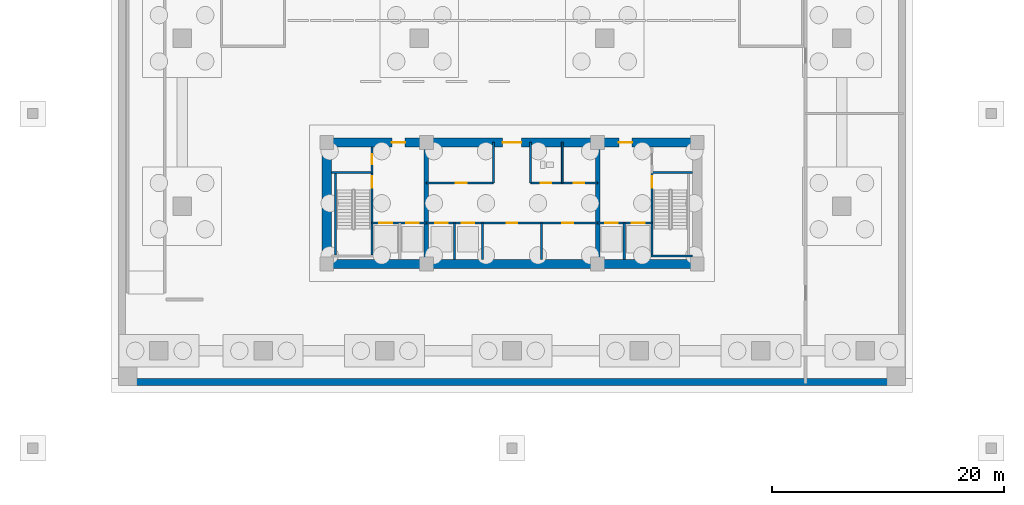
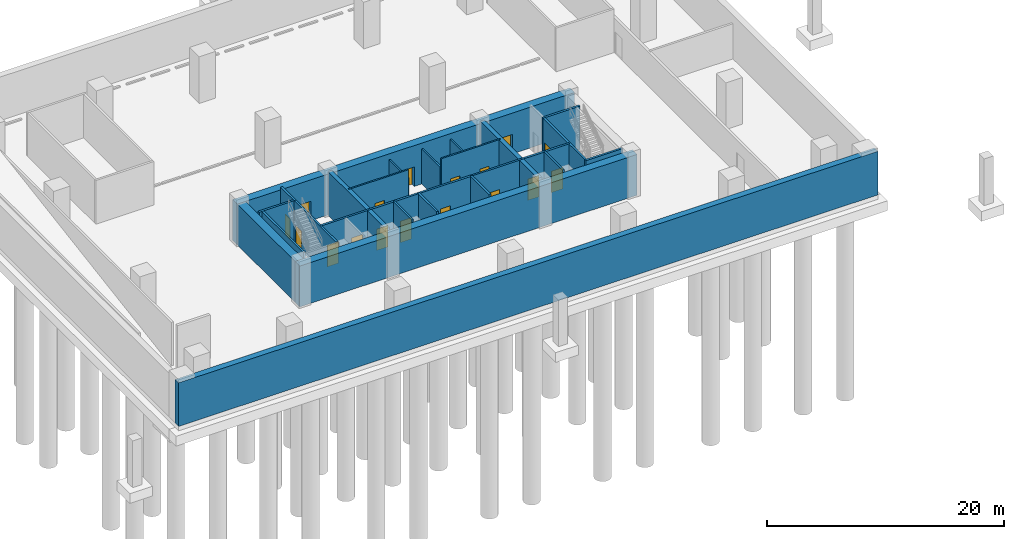
# One storey, part 3 of 8: 27 walls, 17 doors, 17 openings.
"""IFC4 building model written with IfcOpenShell, lengths in metres."""

from ifc_helpers import new_model, si_unit, direction, frame, frame_2d, origin, place, context, subcontext, project, spatial, rectangle, extrude, material, layer, layer_set, type_object, element, fill, save


model = new_model("IFC4")

# Units and contexts
model_context = context("Model", 3, precision=1e-05, world=origin(), true_north=direction((0.0, 1.0)))
body_context = subcontext(model_context, "Body", "Model", "MODEL_VIEW")
ifc_project = project(units=[si_unit("LENGTHUNIT", "METRE"), si_unit("AREAUNIT", "SQUARE_METRE"), si_unit("VOLUMEUNIT", "CUBIC_METRE"), si_unit("PLANEANGLEUNIT", "RADIAN"), si_unit("MASSUNIT", "GRAM", prefix="KILO")], contexts=[model_context])

# Site, building, storey
site_placement = place(None, origin())
site = spatial("IfcSite", under=ifc_project, at=site_placement, CompositionType="ELEMENT")
building_placement = place(site_placement, origin())
building = spatial("IfcBuilding", under=site, at=building_placement, Name="Solmavex Isthmus Hotel", CompositionType="ELEMENT")
storey_placement = place(building_placement, frame((0.0, 0.0, -10.0)))
storey = spatial("IfcBuildingStorey", under=building, at=storey_placement, Name="B02", CompositionType="ELEMENT", Elevation=-10.0)

# Wall, opening, door
ifc_material_1 = material(Name="Gypsum plasterboard lining", Category="gypsum")
ifc_layer_1 = layer(ifc_material_1, 0.14990234375)
ifc_layer_set_1 = layer_set([ifc_layer_1], Name="Gypsum plasterboard lining")
wall_type_1 = type_object("IfcWallType", Name="IW-CORR-150", PredefinedType="PARTITIONING", material=ifc_layer_set_1)
wall_1_placement = place(storey_placement, frame((-7.39990234375, -6.0, 0.0), z_axis=(0.0, 0.0, 1.0), x_axis=(1.0, 0.0, 0.0)))
wall_1 = element("IfcWall", 1, at=wall_1_placement, inside=storey, type_object=wall_type_1, Name="Interior Partition Wall W-B02-BOH-WS", PredefinedType="PARTITIONING", context=body_context, shape_type="SweptSolid", body=[
    extrude(rectangle(XDim=5.7998046875, YDim=0.14990234375, at=frame_2d((2.89990234375, 0.0))), origin(), (0.0, 0.0, 1.0), 4.47998046875),
])
opening_1_placement = place(wall_1_placement, frame((2.52490234375, 0.0, 0.0)))
opening_1 = element("IfcOpeningElement", 2, at=opening_1_placement, cuts=wall_1, Name="Opening ID-C095", PredefinedType="OPENING", context=body_context, shape_type="SweptSolid", body=[
    extrude(rectangle(XDim=0.949951171875, YDim=2.14990234375, at=frame_2d((0.47509765625, 1.074951171875))), frame((0.0, 0.0849609375, 0.0), z_axis=(0.0, -1.0, 0.0), x_axis=(1.0, 0.0, 0.0)), (0.0, 0.0, 1.0), 0.169921875),
])
ifc_material_2 = material(Name="Hardwood timber", Category="wood")
door_type_1 = type_object("IfcDoorType", Name="IDR-FD60-0950", OperationType="NOTDEFINED", PredefinedType="DOOR", material=ifc_material_2)
door_1_placement = place(opening_1_placement, frame((0.949951171875, 0.0, 0.0), z_axis=(0.0, 0.0, 1.0), x_axis=(-1.0, 0.0, 0.0)))
door_1 = element("IfcDoor", 3, at=door_1_placement, inside=storey, type_object=door_type_1, Name="Housekeeping Room Door B02", OperationType="SINGLE_SWING_LEFT", OverallHeight=2.14990234375, OverallWidth=0.949951171875, PredefinedType="DOOR", context=body_context, shape_type="SweptSolid", body=[
    extrude(rectangle(XDim=0.949951171875, YDim=2.14990234375, at=frame_2d((0.47509765625, 1.074951171875))), frame((0.0, 0.02490234375, 0.0), z_axis=(0.0, -1.0, 0.0), x_axis=(1.0, 0.0, 0.0)), (0.0, 0.0, 1.0), 0.050048828125),
])
fill(opening_1, door_1)

# Wall
wall_2_placement = place(storey_placement, frame((-1.60009765625, -6.0, 0.0), z_axis=(0.0, 0.0, 1.0), x_axis=(0.0, 1.0, 0.0)))
element("IfcWall", 4, at=wall_2_placement, inside=storey, type_object=wall_type_1, Name="Interior Partition Wall W-B02-BOH-WE", PredefinedType="PARTITIONING", context=body_context, shape_type="SweptSolid", body=[
    extrude(rectangle(XDim=3.5, YDim=0.14990234375, at=frame_2d((1.75, 0.0))), origin(), (0.0, 0.0, 1.0), 3.609619140625),
])

# Wall, openings, doors
wall_3_placement = place(storey_placement, frame((1.60009765625, -6.0, 0.0), z_axis=(0.0, 0.0, 1.0), x_axis=(1.0, 0.0, 0.0)))
wall_3 = element("IfcWall", 5, at=wall_3_placement, inside=storey, type_object=wall_type_1, Name="Interior Partition Wall W-B02-BOH-ES", PredefinedType="PARTITIONING", context=body_context, shape_type="SweptSolid", body=[
    extrude(rectangle(XDim=5.7998046875, YDim=0.14990234375, at=frame_2d((2.89990234375, 0.0))), origin(), (0.0, 0.0, 1.0), 4.47998046875),
])
opening_2_placement = place(wall_3_placement, frame((0.89990234375, 0.0, 0.0)))
opening_2 = element("IfcOpeningElement", 6, at=opening_2_placement, cuts=wall_3, Name="Opening ID-C090", PredefinedType="OPENING", context=body_context, shape_type="SweptSolid", body=[
    extrude(rectangle(XDim=0.89990234375, YDim=2.10009765625, at=frame_2d((0.449951171875, 1.050048828125))), frame((0.0, 0.0849609375, 0.0), z_axis=(0.0, -1.0, 0.0), x_axis=(1.0, 0.0, 0.0)), (0.0, 0.0, 1.0), 0.169921875),
])
opening_3_placement = place(wall_3_placement, frame((3.75, 0.0, 0.0)))
opening_3 = element("IfcOpeningElement", 7, at=opening_3_placement, cuts=wall_3, Name="Opening ID-C090", PredefinedType="OPENING", context=body_context, shape_type="SweptSolid", body=[
    extrude(rectangle(XDim=0.89990234375, YDim=2.10009765625, at=frame_2d((0.449951171875, 1.050048828125))), frame((0.0, 0.0849609375, 0.0), z_axis=(0.0, -1.0, 0.0), x_axis=(1.0, 0.0, 0.0)), (0.0, 0.0, 1.0), 0.169921875),
])
door_type_2 = type_object("IfcDoorType", Name="IDR-FD60-0900", OperationType="NOTDEFINED", PredefinedType="DOOR", material=ifc_material_2)
door_2_placement = place(opening_2_placement, frame((0.89990234375, 0.0, 0.0), z_axis=(0.0, 0.0, 1.0), x_axis=(-1.0, 0.0, 0.0)))
door_2 = element("IfcDoor", 8, at=door_2_placement, inside=storey, type_object=door_type_2, Name="Staff WC Door B02", OperationType="SINGLE_SWING_RIGHT", OverallHeight=2.10009765625, OverallWidth=0.89990234375, PredefinedType="DOOR", context=body_context, shape_type="SweptSolid", body=[
    extrude(rectangle(XDim=0.89990234375, YDim=2.10009765625, at=frame_2d((0.449951171875, 1.050048828125))), frame((0.0, 0.02490234375, 0.0), z_axis=(0.0, -1.0, 0.0), x_axis=(1.0, 0.0, 0.0)), (0.0, 0.0, 1.0), 0.050048828125),
])
fill(opening_2, door_2)
door_3_placement = place(opening_3_placement, frame((0.89990234375, 0.0, 0.0), z_axis=(0.0, 0.0, 1.0), x_axis=(-1.0, 0.0, 0.0)))
door_3 = element("IfcDoor", 9, at=door_3_placement, inside=storey, type_object=door_type_2, Name="Pantry Door B02", OperationType="SINGLE_SWING_LEFT", OverallHeight=2.10009765625, OverallWidth=0.89990234375, PredefinedType="DOOR", context=body_context, shape_type="SweptSolid", body=[
    extrude(rectangle(XDim=0.89990234375, YDim=2.10009765625, at=frame_2d((0.449951171875, 1.050048828125))), frame((0.0, 0.02490234375, 0.0), z_axis=(0.0, -1.0, 0.0), x_axis=(1.0, 0.0, 0.0)), (0.0, 0.0, 1.0), 0.050048828125),
])
fill(opening_3, door_3)

# Walls
wall_4_placement = place(storey_placement, frame((1.60009765625, -6.0, 0.0), z_axis=(0.0, 0.0, 1.0), x_axis=(0.0, 1.0, 0.0)))
element("IfcWall", 10, at=wall_4_placement, inside=storey, type_object=wall_type_1, Name="Interior Partition Wall W-B02-BOH-EW", PredefinedType="PARTITIONING", context=body_context, shape_type="SweptSolid", body=[
    extrude(rectangle(XDim=3.5, YDim=0.14990234375, at=frame_2d((1.75, 0.0))), origin(), (0.0, 0.0, 1.0), 3.609619140625),
])
ifc_layer_2 = layer(ifc_material_1, 0.1201171875)
ifc_layer_set_2 = layer_set([ifc_layer_2], Name="Gypsum plasterboard lining")
wall_type_2 = type_object("IfcWallType", Name="IW-PART-120", PredefinedType="PARTITIONING", material=ifc_layer_set_2)
wall_5_placement = place(storey_placement, frame((4.35009765625, -6.0, 0.0), z_axis=(0.0, 0.0, 1.0), x_axis=(0.0, 1.0, 0.0)))
element("IfcWall", 11, at=wall_5_placement, inside=storey, type_object=wall_type_2, Name="Interior Partition Wall W-B02-BOH-EM0", PredefinedType="PARTITIONING", context=body_context, shape_type="SweptSolid", body=[
    extrude(rectangle(XDim=3.5, YDim=0.14990234375, at=frame_2d((1.75, 0.0))), origin(), (0.0, 0.0, 1.0), 3.609619140625),
])
ifc_material_3 = material(Name="Concrete C40/50", Category="concrete")
ifc_layer_3 = layer(ifc_material_3, 0.179931640625)
ifc_layer_set_3 = layer_set([ifc_layer_3], Name="Concrete C40/50")
wall_type_3 = type_object("IfcWallType", Name="IW-SHAFT-180", PredefinedType="PARTITIONING", material=ifc_layer_set_3)
wall_6_placement = place(storey_placement, frame((-4.949951171875, -12.60009765625, 0.0), z_axis=(0.0, 0.0, 1.0), x_axis=(0.0, 1.0, 0.0)))
element("IfcWall", 12, at=wall_6_placement, inside=storey, type_object=wall_type_3, Name="Interior Partition Wall W-B02-SH-PLL-M", PredefinedType="PARTITIONING", context=body_context, shape_type="SweptSolid", body=[
    extrude(rectangle(XDim=3.150146484375, YDim=0.179931640625, at=frame_2d((1.5751953125, 0.0))), origin(), (0.0, 0.0, 1.0), 4.47998046875),
])

# Wall, opening, door
wall_7_placement = place(storey_placement, frame((2.550048828125, -9.449951171875, 0.0), z_axis=(0.0, 0.0, 1.0), x_axis=(1.0, 0.0, 0.0)))
wall_7 = element("IfcWall", 13, at=wall_7_placement, inside=storey, type_object=wall_type_3, Name="Interior Partition Wall W-B02-TOP-PLH", PredefinedType="PARTITIONING", context=body_context, shape_type="SweptSolid", body=[
    extrude(rectangle(XDim=4.849853515625, YDim=0.179931640625, at=frame_2d((2.4248046875, 0.0))), origin(), (0.0, 0.0, 1.0), 4.47998046875),
])
opening_4_placement = place(wall_7_placement, frame((1.77490234375, 0.0, 0.0)))
opening_4 = element("IfcOpeningElement", 14, at=opening_4_placement, cuts=wall_7, Name="Opening ID-C095", PredefinedType="OPENING", context=body_context, shape_type="SweptSolid", body=[
    extrude(rectangle(XDim=0.949951171875, YDim=2.14990234375, at=frame_2d((0.47509765625, 1.074951171875))), frame((0.0, 0.099853515625, 0.0), z_axis=(0.0, -1.0, 0.0), x_axis=(1.0, 0.0, 0.0)), (0.0, 0.0, 1.0), 0.199951171875),
])
door_4_placement = place(opening_4_placement, origin())
door_4 = element("IfcDoor", 15, at=door_4_placement, inside=storey, type_object=door_type_1, Name="Control Room Door B02", OperationType="SINGLE_SWING_LEFT", OverallHeight=2.14990234375, OverallWidth=0.949951171875, PredefinedType="DOOR", context=body_context, shape_type="SweptSolid", body=[
    extrude(rectangle(XDim=0.949951171875, YDim=2.14990234375, at=frame_2d((0.47509765625, 1.074951171875))), frame((0.0, 0.02490234375, 0.0), z_axis=(0.0, -1.0, 0.0), x_axis=(1.0, 0.0, 0.0)), (0.0, 0.0, 1.0), 0.050048828125),
])
fill(opening_4, door_4)

ifc_layer_4 = layer(ifc_material_3, 0.199951171875)
ifc_layer_set_4 = layer_set([ifc_layer_4], Name="Concrete C40/50")
wall_type_4 = type_object("IfcWallType", Name="IW-SHAFT-200", PredefinedType="PARTITIONING", material=ifc_layer_set_4)
wall_8_placement = place(storey_placement, frame((-12.10009765625, -5.199951171875, 0.0), z_axis=(0.0, 0.0, 1.0), x_axis=(0.0, 1.0, 0.0)))
wall_8 = element("IfcWall", 16, at=wall_8_placement, inside=storey, type_object=wall_type_4, Name="Interior Partition Wall W-B02-RSW-E", PredefinedType="PARTITIONING", context=body_context, shape_type="SweptSolid", body=[
    extrude(rectangle(XDim=2.300048828125, YDim=0.199951171875, at=frame_2d((1.14990234375, 0.0))), origin(), (0.0, 0.0, 1.0), 4.47998046875),
])
opening_5_placement = place(wall_8_placement, frame((0.824951171875, 0.0, 0.0)))
opening_5 = element("IfcOpeningElement", 17, at=opening_5_placement, cuts=wall_8, Name="Opening ID-R085", PredefinedType="OPENING", context=body_context, shape_type="SweptSolid", body=[
    extrude(rectangle(XDim=0.85009765625, YDim=2.050048828125, at=frame_2d((0.425048828125, 1.02490234375))), frame((0.0, 0.10986328125, 0.0), z_axis=(0.0, -1.0, 0.0), x_axis=(1.0, 0.0, 0.0)), (0.0, 0.0, 1.0), 0.219970703125),
])
ifc_material_4 = material(Name="Steel ASTM A500 Grade C", Category="steel")
door_type_3 = type_object("IfcDoorType", Name="IDR-FD60-0850", OperationType="NOTDEFINED", PredefinedType="DOOR", material=ifc_material_4)
door_5_placement = place(opening_5_placement, origin())
door_5 = element("IfcDoor", 18, at=door_5_placement, inside=storey, type_object=door_type_3, Name="Electrical Riser Door B02", OperationType="SINGLE_SWING_RIGHT", OverallHeight=2.050048828125, OverallWidth=0.85009765625, PredefinedType="DOOR", context=body_context, shape_type="SweptSolid", body=[
    extrude(rectangle(XDim=0.85009765625, YDim=2.050048828125, at=frame_2d((0.425048828125, 1.02490234375))), frame((0.0, 0.02490234375, 0.0), z_axis=(0.0, -1.0, 0.0), x_axis=(1.0, 0.0, 0.0)), (0.0, 0.0, 1.0), 0.050048828125),
])
fill(opening_5, door_5)

# Wall, openings, doors
wall_9_placement = place(storey_placement, frame((-12.10009765625, -9.449951171875, 0.0), z_axis=(0.0, 0.0, 1.0), x_axis=(1.0, 0.0, 0.0)))
wall_9 = element("IfcWall", 19, at=wall_9_placement, inside=storey, type_object=wall_type_4, Name="Interior Partition Wall W-B02-FFLW-S", PredefinedType="PARTITIONING", context=body_context, shape_type="SweptSolid", body=[
    extrude(rectangle(XDim=4.7001953125, YDim=0.199951171875, at=frame_2d((2.35009765625, 0.0))), origin(), (0.0, 0.0, 1.0), 4.47998046875),
])
opening_6_placement = place(wall_9_placement, frame((0.64990234375, 0.0, 0.0)))
opening_6 = element("IfcOpeningElement", 20, at=opening_6_placement, cuts=wall_9, Name="Opening LD-FF", PredefinedType="OPENING", context=body_context, shape_type="SweptSolid", body=[
    extrude(rectangle(XDim=1.10009765625, YDim=2.199951171875, at=frame_2d((0.550048828125, 1.10009765625))), frame((0.0, 0.10986328125, 0.0), z_axis=(0.0, -1.0, 0.0), x_axis=(1.0, 0.0, 0.0)), (0.0, 0.0, 1.0), 0.219970703125),
])
opening_7_placement = place(wall_9_placement, frame((2.949951171875, 0.0, 0.0)))
opening_7 = element("IfcOpeningElement", 21, at=opening_7_placement, cuts=wall_9, Name="Opening LD-SV", PredefinedType="OPENING", context=body_context, shape_type="SweptSolid", body=[
    extrude(rectangle(XDim=1.10009765625, YDim=2.199951171875, at=frame_2d((0.550048828125, 1.10009765625))), frame((0.0, 0.10986328125, 0.0), z_axis=(0.0, -1.0, 0.0), x_axis=(1.0, 0.0, 0.0)), (0.0, 0.0, 1.0), 0.219970703125),
])
ifc_material_5 = material(Name="Stainless steel 316", Category="steel")
door_type_4 = type_object("IfcDoorType", Name="LDR-FF-1100", OperationType="NOTDEFINED", PredefinedType="DOOR", material=ifc_material_5)
door_6_placement = place(opening_6_placement, origin())
door_6 = element("IfcDoor", 22, at=door_6_placement, inside=storey, type_object=door_type_4, Name="Lift Landing Door FFL-1 B02", OperationType="SLIDING_TO_LEFT", OverallHeight=2.199951171875, OverallWidth=1.10009765625, PredefinedType="DOOR", context=body_context, shape_type="SweptSolid", body=[
    extrude(rectangle(XDim=1.10009765625, YDim=2.199951171875, at=frame_2d((0.550048828125, 1.10009765625))), frame((0.0, 0.02490234375, 0.0), z_axis=(0.0, -1.0, 0.0), x_axis=(1.0, 0.0, 0.0)), (0.0, 0.0, 1.0), 0.050048828125),
])
fill(opening_6, door_6)
door_type_5 = type_object("IfcDoorType", Name="LDR-SV-1100", OperationType="NOTDEFINED", PredefinedType="DOOR", material=ifc_material_5)
door_7_placement = place(opening_7_placement, origin())
door_7 = element("IfcDoor", 23, at=door_7_placement, inside=storey, type_object=door_type_5, Name="Lift Landing Door SVL-1 B02", OperationType="SLIDING_TO_RIGHT", OverallHeight=2.199951171875, OverallWidth=1.10009765625, PredefinedType="DOOR", context=body_context, shape_type="SweptSolid", body=[
    extrude(rectangle(XDim=1.10009765625, YDim=2.199951171875, at=frame_2d((0.550048828125, 1.10009765625))), frame((0.0, 0.02490234375, 0.0), z_axis=(0.0, -1.0, 0.0), x_axis=(1.0, 0.0, 0.0)), (0.0, 0.0, 1.0), 0.050048828125),
])
fill(opening_7, door_7)

wall_10_placement = place(storey_placement, frame((7.39990234375, -9.449951171875, 0.0), z_axis=(0.0, 0.0, 1.0), x_axis=(1.0, 0.0, 0.0)))
wall_10 = element("IfcWall", 24, at=wall_10_placement, inside=storey, type_object=wall_type_4, Name="Interior Partition Wall W-B02-FFLE-S", PredefinedType="PARTITIONING", context=body_context, shape_type="SweptSolid", body=[
    extrude(rectangle(XDim=4.7001953125, YDim=0.199951171875, at=frame_2d((2.35009765625, 0.0))), origin(), (0.0, 0.0, 1.0), 4.47998046875),
])
opening_8_placement = place(wall_10_placement, frame((2.949951171875, 0.0, 0.0)))
opening_8 = element("IfcOpeningElement", 25, at=opening_8_placement, cuts=wall_10, Name="Opening LD-FF", PredefinedType="OPENING", context=body_context, shape_type="SweptSolid", body=[
    extrude(rectangle(XDim=1.10009765625, YDim=2.199951171875, at=frame_2d((0.550048828125, 1.10009765625))), frame((0.0, 0.10986328125, 0.0), z_axis=(0.0, -1.0, 0.0), x_axis=(1.0, 0.0, 0.0)), (0.0, 0.0, 1.0), 0.219970703125),
])
opening_9_placement = place(wall_10_placement, frame((0.64990234375, 0.0, 0.0)))
opening_9 = element("IfcOpeningElement", 26, at=opening_9_placement, cuts=wall_10, Name="Opening LD-SV", PredefinedType="OPENING", context=body_context, shape_type="SweptSolid", body=[
    extrude(rectangle(XDim=1.10009765625, YDim=2.199951171875, at=frame_2d((0.550048828125, 1.10009765625))), frame((0.0, 0.10986328125, 0.0), z_axis=(0.0, -1.0, 0.0), x_axis=(1.0, 0.0, 0.0)), (0.0, 0.0, 1.0), 0.219970703125),
])
door_8_placement = place(opening_8_placement, origin())
door_8 = element("IfcDoor", 27, at=door_8_placement, inside=storey, type_object=door_type_4, Name="Lift Landing Door FFL-2 B02", OperationType="SLIDING_TO_LEFT", OverallHeight=2.199951171875, OverallWidth=1.10009765625, PredefinedType="DOOR", context=body_context, shape_type="SweptSolid", body=[
    extrude(rectangle(XDim=1.10009765625, YDim=2.199951171875, at=frame_2d((0.550048828125, 1.10009765625))), frame((0.0, 0.02490234375, 0.0), z_axis=(0.0, -1.0, 0.0), x_axis=(1.0, 0.0, 0.0)), (0.0, 0.0, 1.0), 0.050048828125),
])
fill(opening_8, door_8)
door_9_placement = place(opening_9_placement, origin())
door_9 = element("IfcDoor", 28, at=door_9_placement, inside=storey, type_object=door_type_5, Name="Lift Landing Door SVL-2 B02", OperationType="SLIDING_TO_RIGHT", OverallHeight=2.199951171875, OverallWidth=1.10009765625, PredefinedType="DOOR", context=body_context, shape_type="SweptSolid", body=[
    extrude(rectangle(XDim=1.10009765625, YDim=2.199951171875, at=frame_2d((0.550048828125, 1.10009765625))), frame((0.0, 0.02490234375, 0.0), z_axis=(0.0, -1.0, 0.0), x_axis=(1.0, 0.0, 0.0)), (0.0, 0.0, 1.0), 0.050048828125),
])
fill(opening_9, door_9)

# Wall
wall_11_placement = place(storey_placement, frame((9.699951171875, -12.60009765625, 0.0), z_axis=(0.0, 0.0, 1.0), x_axis=(0.0, 1.0, 0.0)))
element("IfcWall", 29, at=wall_11_placement, inside=storey, type_object=wall_type_4, Name="Interior Partition Wall W-B02-FFLE-M", PredefinedType="PARTITIONING", context=body_context, shape_type="SweptSolid", body=[
    extrude(rectangle(XDim=3.150146484375, YDim=0.199951171875, at=frame_2d((1.5751953125, 0.0))), origin(), (0.0, 0.0, 1.0), 4.47998046875),
])

# Wall, openings, doors
wall_12_placement = place(storey_placement, frame((-7.39990234375, -9.449951171875, 0.0), z_axis=(0.0, 0.0, 1.0), x_axis=(1.0, 0.0, 0.0)))
wall_12 = element("IfcWall", 30, at=wall_12_placement, inside=storey, type_object=wall_type_4, Name="Interior Partition Wall W-B02-SH-PLL", PredefinedType="PARTITIONING", context=body_context, shape_type="SweptSolid", body=[
    extrude(rectangle(XDim=4.849853515625, YDim=0.199951171875, at=frame_2d((2.4248046875, 0.0))), origin(), (0.0, 0.0, 1.0), 4.47998046875),
])
opening_10_placement = place(wall_12_placement, frame((0.75, 0.0, 0.0)))
opening_10 = element("IfcOpeningElement", 31, at=opening_10_placement, cuts=wall_12, Name="Opening LD-PL", PredefinedType="OPENING", context=body_context, shape_type="SweptSolid", body=[
    extrude(rectangle(XDim=1.10009765625, YDim=2.199951171875, at=frame_2d((0.550048828125, 1.10009765625))), frame((0.0, 0.10986328125, 0.0), z_axis=(0.0, -1.0, 0.0), x_axis=(1.0, 0.0, 0.0)), (0.0, 0.0, 1.0), 0.219970703125),
])
opening_11_placement = place(wall_12_placement, frame((3.050048828125, 0.0, 0.0)))
opening_11 = element("IfcOpeningElement", 32, at=opening_11_placement, cuts=wall_12, Name="Opening LD-PL", PredefinedType="OPENING", context=body_context, shape_type="SweptSolid", body=[
    extrude(rectangle(XDim=1.10009765625, YDim=2.199951171875, at=frame_2d((0.550048828125, 1.10009765625))), frame((0.0, 0.10986328125, 0.0), z_axis=(0.0, -1.0, 0.0), x_axis=(1.0, 0.0, 0.0)), (0.0, 0.0, 1.0), 0.219970703125),
])
door_type_6 = type_object("IfcDoorType", Name="LDR-PL-1100", OperationType="NOTDEFINED", PredefinedType="DOOR", material=ifc_material_5)
door_10_placement = place(opening_10_placement, origin())
door_10 = element("IfcDoor", 33, at=door_10_placement, inside=storey, type_object=door_type_6, Name="Lift Landing Door PLL1 B02", OperationType="SLIDING_TO_LEFT", OverallHeight=2.199951171875, OverallWidth=1.10009765625, PredefinedType="DOOR", context=body_context, shape_type="SweptSolid", body=[
    extrude(rectangle(XDim=1.10009765625, YDim=2.199951171875, at=frame_2d((0.550048828125, 1.10009765625))), frame((0.0, 0.02490234375, 0.0), z_axis=(0.0, -1.0, 0.0), x_axis=(1.0, 0.0, 0.0)), (0.0, 0.0, 1.0), 0.050048828125),
])
fill(opening_10, door_10)
door_11_placement = place(opening_11_placement, origin())
door_11 = element("IfcDoor", 34, at=door_11_placement, inside=storey, type_object=door_type_6, Name="Lift Landing Door PLL2 B02", OperationType="SLIDING_TO_LEFT", OverallHeight=2.199951171875, OverallWidth=1.10009765625, PredefinedType="DOOR", context=body_context, shape_type="SweptSolid", body=[
    extrude(rectangle(XDim=1.10009765625, YDim=2.199951171875, at=frame_2d((0.550048828125, 1.10009765625))), frame((0.0, 0.02490234375, 0.0), z_axis=(0.0, -1.0, 0.0), x_axis=(1.0, 0.0, 0.0)), (0.0, 0.0, 1.0), 0.050048828125),
])
fill(opening_11, door_11)

# Wall
wall_13_placement = place(storey_placement, frame((-2.550048828125, -12.60009765625, 0.0), z_axis=(0.0, 0.0, 1.0), x_axis=(0.0, 1.0, 0.0)))
element("IfcWall", 35, at=wall_13_placement, inside=storey, type_object=wall_type_4, Name="Interior Partition Wall W-B02-SH-PLL-E", PredefinedType="PARTITIONING", context=body_context, shape_type="SweptSolid", body=[
    extrude(rectangle(XDim=3.150146484375, YDim=0.199951171875, at=frame_2d((1.5751953125, 0.0))), origin(), (0.0, 0.0, 1.0), 4.47998046875),
])

# Wall, opening, door
wall_14_placement = place(storey_placement, frame((-2.550048828125, -9.449951171875, 0.0), z_axis=(0.0, 0.0, 1.0), x_axis=(1.0, 0.0, 0.0)))
wall_14 = element("IfcWall", 36, at=wall_14_placement, inside=storey, type_object=wall_type_4, Name="Interior Partition Wall W-B02-PIT-PLM", PredefinedType="PARTITIONING", context=body_context, shape_type="SweptSolid", body=[
    extrude(rectangle(XDim=5.10009765625, YDim=0.199951171875, at=frame_2d((2.550048828125, 0.0))), origin(), (0.0, 0.0, 1.0), 4.47998046875),
])
opening_12_placement = place(wall_14_placement, frame((2.074951171875, 0.0, 0.0)))
opening_12 = element("IfcOpeningElement", 37, at=opening_12_placement, cuts=wall_14, Name="Opening ID-C095", PredefinedType="OPENING", context=body_context, shape_type="SweptSolid", body=[
    extrude(rectangle(XDim=0.949951171875, YDim=2.14990234375, at=frame_2d((0.47509765625, 1.074951171875))), frame((0.0, 0.10986328125, 0.0), z_axis=(0.0, -1.0, 0.0), x_axis=(1.0, 0.0, 0.0)), (0.0, 0.0, 1.0), 0.219970703125),
])
door_12_placement = place(opening_12_placement, origin())
door_12 = element("IfcDoor", 38, at=door_12_placement, inside=storey, type_object=door_type_1, Name="Core Store Door B02", OperationType="SINGLE_SWING_LEFT", OverallHeight=2.14990234375, OverallWidth=0.949951171875, PredefinedType="DOOR", context=body_context, shape_type="SweptSolid", body=[
    extrude(rectangle(XDim=0.949951171875, YDim=2.14990234375, at=frame_2d((0.47509765625, 1.074951171875))), frame((0.0, 0.02490234375, 0.0), z_axis=(0.0, -1.0, 0.0), x_axis=(1.0, 0.0, 0.0)), (0.0, 0.0, 1.0), 0.050048828125),
])
fill(opening_12, door_12)

# Walls
wall_15_placement = place(storey_placement, frame((2.550048828125, -12.60009765625, 0.0), z_axis=(0.0, 0.0, 1.0), x_axis=(0.0, 1.0, 0.0)))
element("IfcWall", 39, at=wall_15_placement, inside=storey, type_object=wall_type_4, Name="Interior Partition Wall W-B02-PIT-PLME", PredefinedType="PARTITIONING", context=body_context, shape_type="SweptSolid", body=[
    extrude(rectangle(XDim=3.150146484375, YDim=0.199951171875, at=frame_2d((1.5751953125, 0.0))), origin(), (0.0, 0.0, 1.0), 4.47998046875),
])
ifc_material_6 = material(Name="Concrete C70/85", Category="concrete")
ifc_layer_5 = layer(ifc_material_6, 0.39990234375)
ifc_layer_set_5 = layer_set([ifc_layer_5], Name="Concrete C70/85")
wall_type_5 = type_object("IfcWallType", Name="WALL-CW-400L", PredefinedType="SHEAR", material=ifc_layer_set_5)
for number, where, z_axis, x_axis, name in (
    (40, (-7.39990234375, -12.60009765625, 0.0), (0.0, 0.0, 1.0), (0.0, 1.0, 0.0), "Core Cross Shear Wall C1 B02"),
    (41, (7.39990234375, -12.60009765625, 0.0), (0.0, 0.0, 1.0), (0.0, 1.0, 0.0), "Core Cross Shear Wall C2 B02"),
):
    element("IfcWall", number, at=place(storey_placement, frame(where, z_axis=z_axis, x_axis=x_axis)), inside=storey, type_object=wall_type_5, Name=name, PredefinedType="SHEAR", context=body_context, shape_type="SweptSolid", body=[
        extrude(rectangle(XDim=9.7001953125, YDim=0.39990234375, at=frame_2d((4.85009765625, 0.0))), origin(), (0.0, 0.0, 1.0), 4.47998046875),
    ])
ifc_layer_6 = layer(ifc_material_6, 0.800048828125)
ifc_layer_set_6 = layer_set([ifc_layer_6], Name="Concrete C70/85")
wall_type_6 = type_object("IfcWallType", Name="WALL-CW-800", PredefinedType="SHEAR", material=ifc_layer_set_6)
wall_16_placement = place(storey_placement, frame((-16.39990234375, -13.0, 0.0), z_axis=(0.0, 0.0, 1.0), x_axis=(1.0, 0.0, 0.0)))
element("IfcWall", 42, at=wall_16_placement, inside=storey, type_object=wall_type_6, Name="Core Shear Wall South B02", PredefinedType="SHEAR", context=body_context, shape_type="SweptSolid", body=[
    extrude(rectangle(XDim=32.7998046875, YDim=0.800048828125, at=frame_2d((16.39990234375, 0.0))), origin(), (0.0, 0.0, 1.0), 4.199951171875),
])

# Wall, openings, doors
wall_17_placement = place(storey_placement, frame((-16.39990234375, -2.5, 0.0), z_axis=(0.0, 0.0, 1.0), x_axis=(1.0, 0.0, 0.0)))
wall_17 = element("IfcWall", 43, at=wall_17_placement, inside=storey, type_object=wall_type_6, Name="Core Shear Wall North B02", PredefinedType="SHEAR", context=body_context, shape_type="SweptSolid", body=[
    extrude(rectangle(XDim=32.7998046875, YDim=0.800048828125, at=frame_2d((16.39990234375, 0.0))), origin(), (0.0, 0.0, 1.0), 4.199951171875),
])
opening_13_placement = place(wall_17_placement, frame((6.02490234375, 0.0, 0.0)))
opening_13 = element("IfcOpeningElement", 44, at=opening_13_placement, cuts=wall_17, Name="Opening ID-F915", PredefinedType="OPENING", context=body_context, shape_type="SweptSolid", body=[
    extrude(rectangle(XDim=1.14990234375, YDim=2.0, at=frame_2d((0.574951171875, 1.0))), frame((0.0, 0.409912109375, 0.0), z_axis=(0.0, -1.0, 0.0), x_axis=(1.0, 0.0, 0.0)), (0.0, 0.0, 1.0), 0.820068359375),
])
opening_14_placement = place(wall_17_placement, frame((15.60009765625, 0.0, 0.0)))
opening_14 = element("IfcOpeningElement", 45, at=opening_14_placement, cuts=wall_17, Name="Opening ID-F960", PredefinedType="OPENING", context=body_context, shape_type="SweptSolid", body=[
    extrude(rectangle(XDim=1.60009765625, YDim=2.0, at=frame_2d((0.800048828125, 1.0))), frame((0.0, 0.409912109375, 0.0), z_axis=(0.0, -1.0, 0.0), x_axis=(1.0, 0.0, 0.0)), (0.0, 0.0, 1.0), 0.820068359375),
])
opening_15_placement = place(wall_17_placement, frame((25.625, 0.0, 0.0)))
opening_15 = element("IfcOpeningElement", 46, at=opening_15_placement, cuts=wall_17, Name="Opening ID-F915", PredefinedType="OPENING", context=body_context, shape_type="SweptSolid", body=[
    extrude(rectangle(XDim=1.14990234375, YDim=2.0, at=frame_2d((0.574951171875, 1.0))), frame((0.0, 0.409912109375, 0.0), z_axis=(0.0, -1.0, 0.0), x_axis=(1.0, 0.0, 0.0)), (0.0, 0.0, 1.0), 0.820068359375),
])
door_type_7 = type_object("IfcDoorType", Name="IDR-FD90-1150C", OperationType="NOTDEFINED", PredefinedType="DOOR", material=ifc_material_4)
door_13_placement = place(opening_13_placement, origin())
door_13 = element("IfcDoor", 47, at=door_13_placement, inside=storey, type_object=door_type_7, Name="Firefighting Lobby West Exit Door B02", OperationType="SINGLE_SWING_LEFT", OverallHeight=2.0, OverallWidth=1.14990234375, PredefinedType="DOOR", context=body_context, shape_type="SweptSolid", body=[
    extrude(rectangle(XDim=1.14990234375, YDim=2.0, at=frame_2d((0.574951171875, 1.0))), frame((0.0, 0.02490234375, 0.0), z_axis=(0.0, -1.0, 0.0), x_axis=(1.0, 0.0, 0.0)), (0.0, 0.0, 1.0), 0.050048828125),
])
fill(opening_13, door_13)
door_14_placement = place(opening_15_placement, origin())
door_14 = element("IfcDoor", 48, at=door_14_placement, inside=storey, type_object=door_type_7, Name="Firefighting Lobby East Exit Door B02", OperationType="SINGLE_SWING_RIGHT", OverallHeight=2.0, OverallWidth=1.14990234375, PredefinedType="DOOR", context=body_context, shape_type="SweptSolid", body=[
    extrude(rectangle(XDim=1.14990234375, YDim=2.0, at=frame_2d((0.574951171875, 1.0))), frame((0.0, 0.02490234375, 0.0), z_axis=(0.0, -1.0, 0.0), x_axis=(1.0, 0.0, 0.0)), (0.0, 0.0, 1.0), 0.050048828125),
])
fill(opening_15, door_14)
door_type_8 = type_object("IfcDoorType", Name="IDR-FD90-1600C", OperationType="NOTDEFINED", PredefinedType="DOOR", material=ifc_material_4)
door_15_placement = place(opening_14_placement, origin())
door_15 = element("IfcDoor", 49, at=door_15_placement, inside=storey, type_object=door_type_8, Name="Central Lift Lobby Door B02", OperationType="DOUBLE_DOOR_SINGLE_SWING", OverallHeight=2.0, OverallWidth=1.60009765625, PredefinedType="DOOR", context=body_context, shape_type="SweptSolid", body=[
    extrude(rectangle(XDim=1.60009765625, YDim=2.0, at=frame_2d((0.800048828125, 1.0))), frame((0.0, 0.02490234375, 0.0), z_axis=(0.0, -1.0, 0.0), x_axis=(1.0, 0.0, 0.0)), (0.0, 0.0, 1.0), 0.050048828125),
])
fill(opening_14, door_15)

# Walls
wall_18_placement = place(storey_placement, frame((-16.0, -12.60009765625, 0.0), z_axis=(0.0, 0.0, 1.0), x_axis=(0.0, 1.0, 0.0)))
element("IfcWall", 50, at=wall_18_placement, inside=storey, type_object=wall_type_6, Name="Core Shear Wall West B02", PredefinedType="SHEAR", context=body_context, shape_type="SweptSolid", body=[
    extrude(rectangle(XDim=9.7001953125, YDim=0.800048828125, at=frame_2d((4.85009765625, 0.0))), origin(), (0.0, 0.0, 1.0), 4.199951171875),
])
ifc_material_7 = material(Name="Concrete C50/60", Category="concrete")
ifc_layer_7 = layer(ifc_material_7, 0.60009765625)
ifc_layer_set_7 = layer_set([ifc_layer_7], Name="Concrete C50/60")
wall_type_7 = type_object("IfcWallType", Name="WALL-RET-600", PredefinedType="SOLIDWALL", material=ifc_layer_set_7)
wall_19_placement = place(storey_placement, frame((-34.0, -23.199951171875, 0.0), z_axis=(0.0, 0.0, 1.0), x_axis=(1.0, 0.0, 0.0)))
element("IfcWall", 51, at=wall_19_placement, inside=storey, type_object=wall_type_7, Name="Basement Retaining Wall South B02", PredefinedType="SOLIDWALL", context=body_context, shape_type="SweptSolid", body=[
    extrude(rectangle(XDim=68.0, YDim=0.60009765625, at=frame_2d((34.0, 0.0))), origin(), (0.0, 0.0, 1.0), 4.47998046875),
])
ifc_layer_8 = layer(ifc_material_3, 0.199951171875)
ifc_layer_set_8 = layer_set([ifc_layer_8], Name="Concrete C40/50")
wall_type_8 = type_object("IfcWallType", Name="WALL-SW-200", PredefinedType="SOLIDWALL", material=ifc_layer_set_8)
wall_20_placement = place(storey_placement, frame((-15.60009765625, -5.10009765625, 0.0), z_axis=(0.0, 0.0, 1.0), x_axis=(1.0, 0.0, 0.0)))
element("IfcWall", 52, at=wall_20_placement, inside=storey, type_object=wall_type_8, Name="Stairwell Structural Wall SW-B02-ST1-N", PredefinedType="SOLIDWALL", context=body_context, shape_type="SweptSolid", body=[
    extrude(rectangle(XDim=3.60009765625, YDim=0.199951171875, at=frame_2d((1.800048828125, 0.0))), origin(), (0.0, 0.0, 1.0), 4.47998046875),
])
wall_21_placement = place(storey_placement, frame((-15.25, -12.199951171875, 0.0), z_axis=(0.0, 0.0, 1.0), x_axis=(0.0, 1.0, 0.0)))
element("IfcWall", 53, at=wall_21_placement, inside=storey, type_object=wall_type_8, Name="Stairwell Structural Wall SW-B02-ST1-W", PredefinedType="SOLIDWALL", context=body_context, shape_type="SweptSolid", body=[
    extrude(rectangle(XDim=7.0, YDim=0.199951171875, at=frame_2d((3.5, 0.0))), origin(), (0.0, 0.0, 1.0), 4.47998046875),
])

# Wall, opening, door
wall_22_placement = place(storey_placement, frame((-12.10009765625, -12.199951171875, 0.0), z_axis=(0.0, 0.0, 1.0), x_axis=(0.0, 1.0, 0.0)))
wall_22 = element("IfcWall", 54, at=wall_22_placement, inside=storey, type_object=wall_type_8, Name="Stairwell Structural Wall SW-B02-ST1-E", PredefinedType="SOLIDWALL", context=body_context, shape_type="SweptSolid", body=[
    extrude(rectangle(XDim=7.0, YDim=0.199951171875, at=frame_2d((3.5, 0.0))), origin(), (0.0, 0.0, 1.0), 4.47998046875),
])
opening_16_placement = place(wall_22_placement, frame((5.800048828125, 0.0, 0.0)))
opening_16 = element("IfcOpeningElement", 55, at=opening_16_placement, cuts=wall_22, Name="Opening ID-F100", PredefinedType="OPENING", context=body_context, shape_type="SweptSolid", body=[
    extrude(rectangle(XDim=1.0, YDim=2.10009765625, at=frame_2d((0.5, 1.050048828125))), frame((0.0, 0.10986328125, 0.0), z_axis=(0.0, -1.0, 0.0), x_axis=(1.0, 0.0, 0.0)), (0.0, 0.0, 1.0), 0.219970703125),
])
door_type_9 = type_object("IfcDoorType", Name="IDR-FD90-1000", OperationType="NOTDEFINED", PredefinedType="DOOR", material=ifc_material_4)
door_16_placement = place(opening_16_placement, frame((1.0, 0.0, 0.0), z_axis=(0.0, 0.0, 1.0), x_axis=(-1.0, 0.0, 0.0)))
door_16 = element("IfcDoor", 56, at=door_16_placement, inside=storey, type_object=door_type_9, Name="Stair ST-1 Fire Door B02", OperationType="SINGLE_SWING_LEFT", OverallHeight=2.10009765625, OverallWidth=1.0, PredefinedType="DOOR", context=body_context, shape_type="SweptSolid", body=[
    extrude(rectangle(XDim=1.0, YDim=2.10009765625, at=frame_2d((0.5, 1.050048828125))), frame((0.0, 0.02490234375, 0.0), z_axis=(0.0, -1.0, 0.0), x_axis=(1.0, 0.0, 0.0)), (0.0, 0.0, 1.0), 0.050048828125),
])
fill(opening_16, door_16)

# Walls
for number, where, z_axis, x_axis, name in (
    (57, (12.0, -12.300048828125, 0.0), (0.0, 0.0, 1.0), (1.0, 0.0, 0.0), "Stairwell Structural Wall SW-B02-ST2-S"),
    (58, (12.0, -5.10009765625, 0.0), (0.0, 0.0, 1.0), (1.0, 0.0, 0.0), "Stairwell Structural Wall SW-B02-ST2-N"),
):
    element("IfcWall", number, at=place(storey_placement, frame(where, z_axis=z_axis, x_axis=x_axis)), inside=storey, type_object=wall_type_8, Name=name, PredefinedType="SOLIDWALL", context=body_context, shape_type="SweptSolid", body=[
        extrude(rectangle(XDim=3.60009765625, YDim=0.199951171875, at=frame_2d((1.800048828125, 0.0))), origin(), (0.0, 0.0, 1.0), 4.47998046875),
    ])

# Wall, opening, door
wall_23_placement = place(storey_placement, frame((12.10009765625, -12.199951171875, 0.0), z_axis=(0.0, 0.0, 1.0), x_axis=(0.0, 1.0, 0.0)))
wall_23 = element("IfcWall", 59, at=wall_23_placement, inside=storey, type_object=wall_type_8, Name="Stairwell Structural Wall SW-B02-ST2-W", PredefinedType="SOLIDWALL", context=body_context, shape_type="SweptSolid", body=[
    extrude(rectangle(XDim=7.0, YDim=0.199951171875, at=frame_2d((3.5, 0.0))), origin(), (0.0, 0.0, 1.0), 4.47998046875),
])
opening_17_placement = place(wall_23_placement, frame((5.800048828125, 0.0, 0.0)))
opening_17 = element("IfcOpeningElement", 60, at=opening_17_placement, cuts=wall_23, Name="Opening ID-F100", PredefinedType="OPENING", context=body_context, shape_type="SweptSolid", body=[
    extrude(rectangle(XDim=1.0, YDim=2.10009765625, at=frame_2d((0.5, 1.050048828125))), frame((0.0, 0.10986328125, 0.0), z_axis=(0.0, -1.0, 0.0), x_axis=(1.0, 0.0, 0.0)), (0.0, 0.0, 1.0), 0.219970703125),
])
door_17_placement = place(opening_17_placement, origin())
door_17 = element("IfcDoor", 61, at=door_17_placement, inside=storey, type_object=door_type_9, Name="Stair ST-2 Fire Door B02", OperationType="SINGLE_SWING_RIGHT", OverallHeight=2.10009765625, OverallWidth=1.0, PredefinedType="DOOR", context=body_context, shape_type="SweptSolid", body=[
    extrude(rectangle(XDim=1.0, YDim=2.10009765625, at=frame_2d((0.5, 1.050048828125))), frame((0.0, 0.02490234375, 0.0), z_axis=(0.0, -1.0, 0.0), x_axis=(1.0, 0.0, 0.0)), (0.0, 0.0, 1.0), 0.050048828125),
])
fill(opening_17, door_17)

save(model, "model.ifc")
